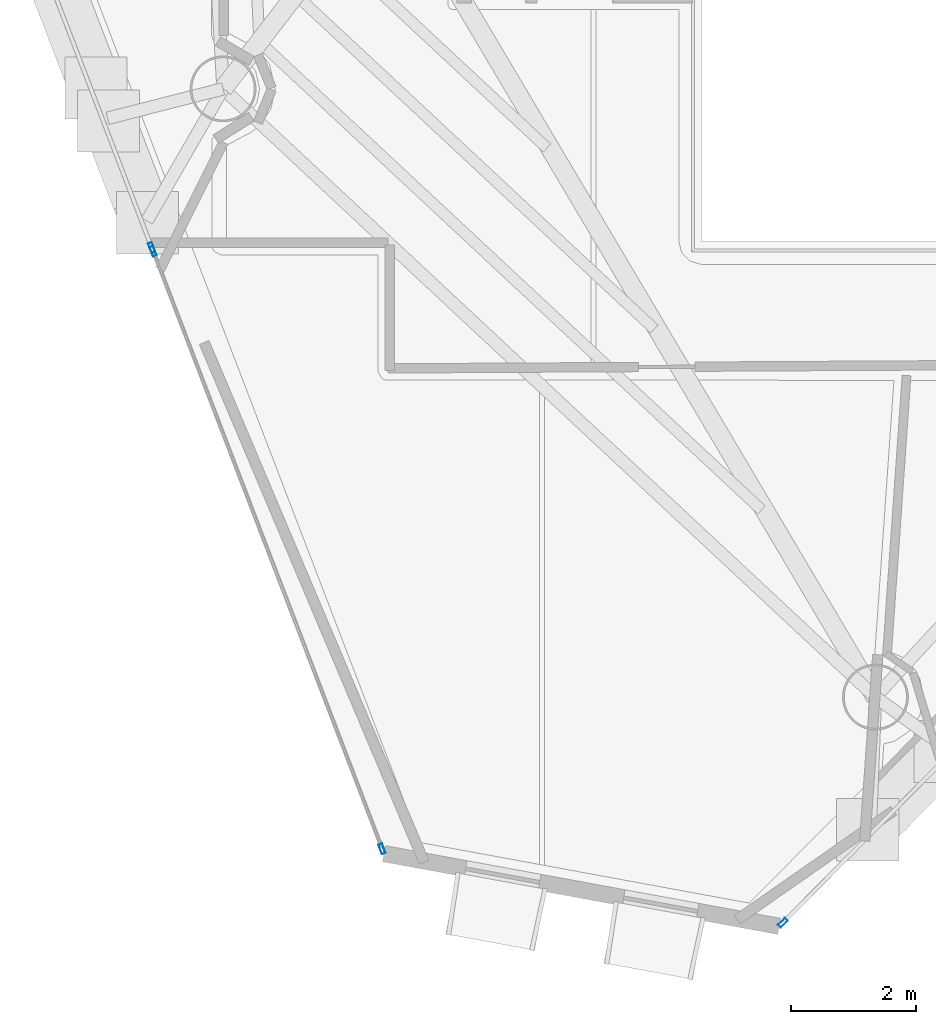
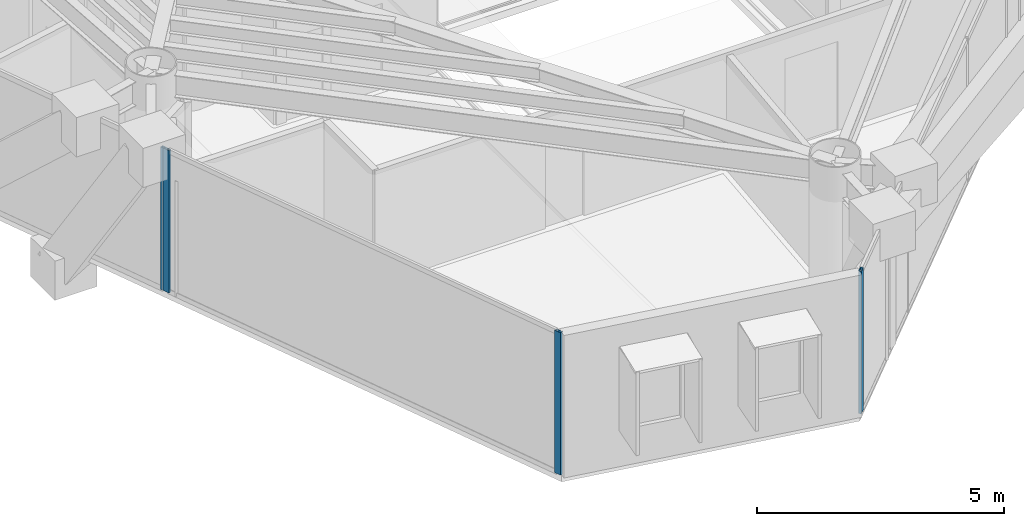
# One storey, part 2 of 20: 4 members, 3 elements without a shape of their own.
"""IFC4 building model written with IfcOpenShell, lengths in metres."""

from ifc_helpers import new_model, si_unit, direction, frame, origin, origin_2d, place, context, subcontext, project, spatial, hollow_rectangle, extrude, material, layer, layer_set, material_profile, profile_set, type_object, element, aggregate, save


model = new_model("IFC4")

# Units and contexts
model_context = context("Model", 3, precision=1e-05, world=origin(), true_north=direction((0.0, 1.0)))
body_context = subcontext(model_context, "Body", "Model", "MODEL_VIEW")
ifc_project = project(units=[si_unit("LENGTHUNIT", "METRE"), si_unit("AREAUNIT", "SQUARE_METRE"), si_unit("VOLUMEUNIT", "CUBIC_METRE"), si_unit("PLANEANGLEUNIT", "RADIAN"), si_unit("MASSUNIT", "GRAM", prefix="KILO")], contexts=[model_context])

# Site, building, storey
site_placement = place(None, origin())
site = spatial("IfcSite", under=ifc_project, at=site_placement, CompositionType="ELEMENT")
building_placement = place(site_placement, origin())
building = spatial("IfcBuilding", under=site, at=building_placement, Name="Qianvela Tower", CompositionType="ELEMENT")
storey_placement = place(building_placement, frame((0.0, 0.0, 239.0)))
storey = spatial("IfcBuildingStorey", under=building, at=storey_placement, Name="L61", CompositionType="ELEMENT", Elevation=239.0)

# Curtain wall, member
ifc_material_1 = material(Name="Anodised Architectural Aluminium and Insulated Spandrel Panel", Category="aluminium")
ifc_layer_1 = layer(ifc_material_1, 0.179931640625)
ifc_layer_set_1 = layer_set([ifc_layer_1], Name="Anodised Architectural Aluminium and Insulated Spandrel Panel")
curtain_wall_type_1 = type_object("IfcCurtainWallType", Name="CW-BRACEBAY", PredefinedType="USERDEFINED", material=ifc_layer_set_1)
curtain_wall_1_placement = place(storey_placement, origin())
curtain_wall_1 = element("IfcCurtainWall", 1, at=curtain_wall_1_placement, inside=storey, type_object=curtain_wall_type_1, Name="L61 CW-BRACEBAY Curtain Wall 04B", ObjectType="CURTAIN_WALL_SYSTEM", PredefinedType="USERDEFINED")
ifc_material_2 = material(Name="Anodised Architectural Aluminium 6063-T6", Category="aluminium")
ifc_material_profile_1 = material_profile(ifc_material_2, hollow_rectangle(XDim=0.06494140625, YDim=0.159912109375, WallThickness=0.0048828125, at=origin_2d()), Name="ALU-MULL-65x160")
ifc_profile_set_1 = profile_set([ifc_material_profile_1], Name="Anodised Architectural Aluminium 6063-T6")
member_type_1 = type_object("IfcMemberType", Name="CW-BRACEBAY-MULL", PredefinedType="MULLION", material=ifc_profile_set_1)
member_1_placement = place(storey_placement, frame((24.833740234375, 17.908447265625, 0.0), z_axis=(0.0, 0.0, 1.0), x_axis=(0.9338317147, 0.357712634135, 0.0)))
member_1 = element("IfcMember", 2, at=member_1_placement, type_object=member_type_1, Name="CW-9 mullion 2", PredefinedType="MULLION", context=body_context, shape_type="SweptSolid", body=[
    extrude(hollow_rectangle(XDim=0.06494140625, YDim=0.159912109375, WallThickness=0.0048828125, at=origin_2d()), origin(), (0.0, 0.0, 1.0), 3.52001953125),
])
aggregate(curtain_wall_1, [member_1])

curtain_wall_2_placement = place(storey_placement, origin())
curtain_wall_2 = element("IfcCurtainWall", 3, at=curtain_wall_2_placement, inside=storey, type_object=curtain_wall_type_1, Name="L61 CW-BRACEBAY Curtain Wall 06A", ObjectType="CURTAIN_WALL_SYSTEM", PredefinedType="USERDEFINED")
member_2_placement = place(storey_placement, frame((34.8935546875, 7.1455078125, 0.0), z_axis=(0.0, 0.0, 1.0), x_axis=(-0.71096174765, 0.703230682905, 0.0)))
member_2 = element("IfcMember", 4, at=member_2_placement, type_object=member_type_1, Name="CW-9 mullion 1", PredefinedType="MULLION", context=body_context, shape_type="SweptSolid", body=[
    extrude(hollow_rectangle(XDim=0.06494140625, YDim=0.159912109375, WallThickness=0.0048828125, at=origin_2d()), origin(), (0.0, 0.0, 1.0), 3.52001953125),
])
aggregate(curtain_wall_2, [member_2])

# Curtain wall, members
ifc_material_3 = material(Name="Anodised Architectural Aluminium and Low-E Glass", Category="aluminium")
ifc_layer_2 = layer(ifc_material_3, 0.159912109375)
ifc_layer_set_2 = layer_set([ifc_layer_2], Name="Anodised Architectural Aluminium and Low-E Glass")
curtain_wall_type_2 = type_object("IfcCurtainWallType", Name="CW-COLIV-Z56", PredefinedType="USERDEFINED", material=ifc_layer_set_2)
curtain_wall_3_placement = place(storey_placement, origin())
curtain_wall_3 = element("IfcCurtainWall", 5, at=curtain_wall_3_placement, inside=storey, type_object=curtain_wall_type_2, Name="L61 CW-COLIV-Z56 Curtain Wall 04C", ObjectType="CURTAIN_WALL_SYSTEM", PredefinedType="USERDEFINED")
ifc_material_4 = material(Name="Anodised Architectural Aluminium 6063-T6", Category="aluminium")
ifc_material_profile_2 = material_profile(ifc_material_4, hollow_rectangle(XDim=0.06494140625, YDim=0.159912109375, WallThickness=0.0048828125, at=origin_2d()), Name="ALU-MULL-65x160")
ifc_profile_set_2 = profile_set([ifc_material_profile_2], Name="Anodised Architectural Aluminium 6063-T6")
member_type_2 = type_object("IfcMemberType", Name="CW-COLIV-Z56-MULL", PredefinedType="MULLION", material=ifc_profile_set_2)
member_3_placement = place(storey_placement, frame((24.85693359375, 17.84765625, 0.0), z_axis=(0.0, 0.0, 1.0), x_axis=(0.933829610542, 0.357718127127, 0.0)))
member_3 = element("IfcMember", 6, at=member_3_placement, type_object=member_type_2, Name="CW-5 mullion 1", PredefinedType="MULLION", context=body_context, shape_type="SweptSolid", body=[
    extrude(hollow_rectangle(XDim=0.06494140625, YDim=0.159912109375, WallThickness=0.0048828125, at=origin_2d()), origin(), (0.0, 0.0, 1.0), 3.52001953125),
])
member_4_placement = place(storey_placement, frame((28.505615234375, 8.3232421875, 0.0), z_axis=(0.0, 0.0, 1.0), x_axis=(0.933829610542, 0.357718127127, 0.0)))
member_4 = element("IfcMember", 7, at=member_4_placement, type_object=member_type_2, Name="CW-5 mullion 2", PredefinedType="MULLION", context=body_context, shape_type="SweptSolid", body=[
    extrude(hollow_rectangle(XDim=0.06494140625, YDim=0.159912109375, WallThickness=0.0048828125, at=origin_2d()), origin(), (0.0, 0.0, 1.0), 3.52001953125),
])
aggregate(curtain_wall_3, [member_3, member_4])

save(model, "model.ifc")
